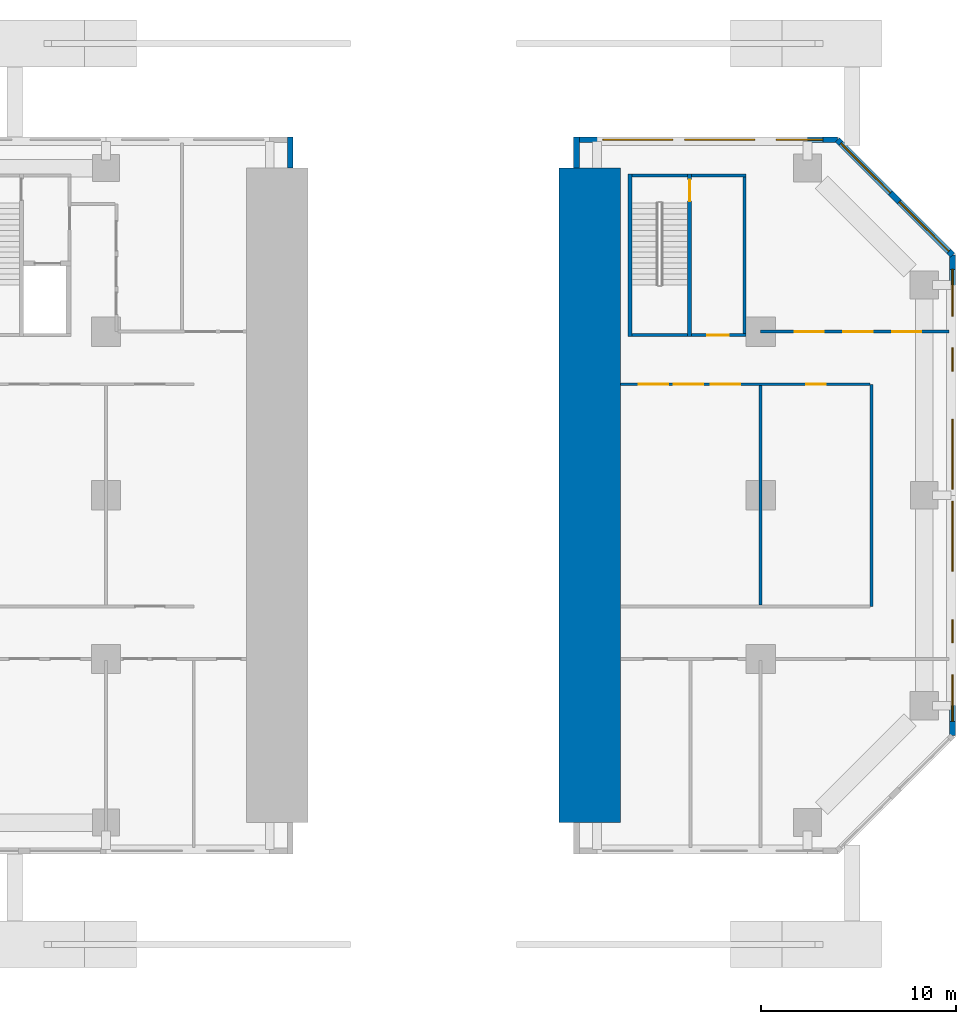
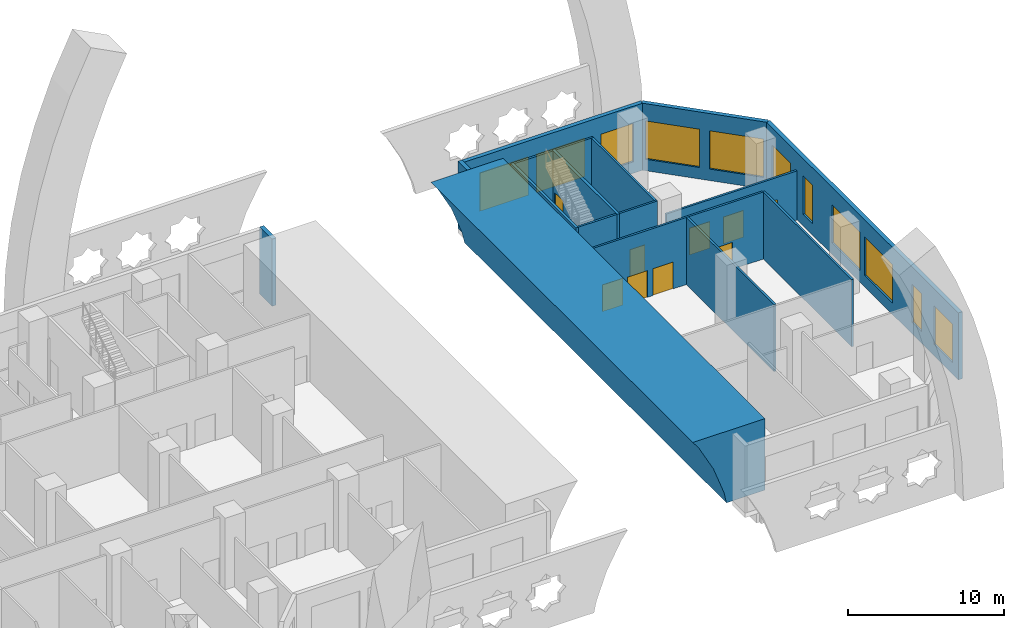
# One storey, part 12 of 19: 17 walls, 11 windows, 9 doors, 20 openings.
"""IFC4 building model written with IfcOpenShell, lengths in metres."""

from ifc_helpers import new_model, si_unit, direction, frame, frame_2d, origin, place, context, subcontext, project, spatial, polyline, rectangle, outline, extrude, material, layer, layer_set, type_object, element, fill, save


model = new_model("IFC4")

# Units and contexts
model_context = context("Model", 3, precision=1e-05, world=origin(), true_north=direction((0.0, 1.0)))
body_context = subcontext(model_context, "Body", "Model", "MODEL_VIEW")
ifc_project = project(units=[si_unit("LENGTHUNIT", "METRE"), si_unit("AREAUNIT", "SQUARE_METRE"), si_unit("VOLUMEUNIT", "CUBIC_METRE"), si_unit("PLANEANGLEUNIT", "RADIAN"), si_unit("MASSUNIT", "GRAM", prefix="KILO")], contexts=[model_context])

# Site, building, storey
site_placement = place(None, origin())
site = spatial("IfcSite", under=ifc_project, at=site_placement, CompositionType="ELEMENT")
building_placement = place(site_placement, origin())
building = spatial("IfcBuilding", under=site, at=building_placement, Name="Kawkab Arch Medical Tower", CompositionType="ELEMENT")
storey_placement = place(building_placement, frame((0.0, 0.0, 12.60009765625)))
storey = spatial("IfcBuildingStorey", under=building, at=storey_placement, Name="L03", CompositionType="ELEMENT", Elevation=12.60009765625)

# Walls
ifc_material_1 = material(Name="Concrete C60/75", Category="concrete")
wall_type_1 = type_object("IfcWallType", Name="Arch wall C60/75", PredefinedType="SHEAR", material=ifc_material_1)
wall_1_placement = place(storey_placement, frame((0.0, 0.0, -12.60009765625), z_axis=(0.0, -1.0, 0.0), x_axis=(1.0, 0.0, 0.0)))
element("IfcWall", 1, at=wall_1_placement, inside=storey, type_object=wall_type_1, Name="Arch wall L03-2", PredefinedType="SHEAR", context=body_context, shape_type="SweptSolid", body=[
    extrude(outline(polyline([(73.952392578125, 12.60009765625), (73.76611328125, 13.468017578125), (72.986083984375, 15.591064453125), (71.916015625, 17.5830078125), (71.46240234375, 18.199951171875), (76.800048828125, 18.199951171875), (76.800048828125, 12.60009765625), (73.952392578125, 12.60009765625)])), origin(), (0.0, 0.0, 1.0), 33.60009765625),
])
ifc_material_2 = material(Name="Gypsum board on steel studs", Category="steel")
ifc_layer_1 = layer(ifc_material_2, 0.14990234375)
ifc_layer_set_1 = layer_set([ifc_layer_1], Name="Gypsum board on steel studs")
wall_type_2 = type_object("IfcWallType", Name="Core room partition 150", PredefinedType="PARTITIONING", material=ifc_layer_set_1)
wall_2_placement = place(storey_placement, frame((80.449951171875, -0.375, 0.0), z_axis=(0.0, 0.0, 1.0), x_axis=(1.0, 0.0, 0.0)))
element("IfcWall", 2, at=wall_2_placement, inside=storey, type_object=wall_type_2, Name="L03 core room partition", PredefinedType="PARTITIONING", context=body_context, shape_type="SweptSolid", body=[
    extrude(rectangle(XDim=2.800048828125, YDim=0.14990234375, at=frame_2d((1.39990234375, 0.0))), origin(), (0.0, 0.0, 1.0), 5.25),
])
wall_3_placement = place(storey_placement, frame((83.175048828125, -8.5, 0.0), z_axis=(0.0, 0.0, 1.0), x_axis=(0.0, 1.0, 0.0)))
element("IfcWall", 3, at=wall_3_placement, inside=storey, type_object=wall_type_2, Name="L03 core room partition", PredefinedType="PARTITIONING", context=body_context, shape_type="SweptSolid", body=[
    extrude(rectangle(XDim=8.050048828125, YDim=0.14990234375, at=frame_2d((4.02490234375, 0.0))), origin(), (0.0, 0.0, 1.0), 5.25),
])

# Wall, openings, doors
ifc_material_3 = material(Name="Gypsum board partition on steel studs, mineral wool", Category="steel")
ifc_layer_2 = layer(ifc_material_3, 0.14990234375)
ifc_layer_set_2 = layer_set([ifc_layer_2], Name="Gypsum board partition on steel studs, mineral wool")
wall_type_3 = type_object("IfcWallType", Name="Partition 150", PredefinedType="PARTITIONING", material=ifc_layer_set_2)
wall_4_placement = place(storey_placement, frame((76.800048828125, -11.10009765625, 0.0), z_axis=(0.0, 0.0, 1.0), x_axis=(1.0, 0.0, 0.0)))
wall_4 = element("IfcWall", 4, at=wall_4_placement, inside=storey, type_object=wall_type_3, Name="Partition 150 w039", PredefinedType="PARTITIONING", context=body_context, shape_type="SweptSolid", body=[
    extrude(rectangle(XDim=12.824951171875, YDim=0.14990234375, at=frame_2d((6.41259765625, 0.0))), origin(), (0.0, 0.0, 1.0), 5.25),
])
opening_1_placement = place(wall_4_placement, frame((4.64990234375, 0.0, 0.0)))
opening_1 = element("IfcOpeningElement", 5, at=opening_1_placement, cuts=wall_4, Name="Opening P03-017", PredefinedType="OPENING", context=body_context, shape_type="SweptSolid", body=[
    extrude(rectangle(XDim=1.5, YDim=2.10009765625, at=frame_2d((0.75, 1.050048828125))), frame((0.0, 0.0849609375, 0.0), z_axis=(0.0, -1.0, 0.0), x_axis=(1.0, 0.0, 0.0)), (0.0, 0.0, 1.0), 0.169921875),
])
opening_2_placement = place(wall_4_placement, frame((2.75, 0.0, 0.0)))
opening_2 = element("IfcOpeningElement", 6, at=opening_2_placement, cuts=wall_4, Name="Opening P03-018", PredefinedType="OPENING", context=body_context, shape_type="SweptSolid", body=[
    extrude(rectangle(XDim=1.5, YDim=2.10009765625, at=frame_2d((0.75, 1.050048828125))), frame((0.0, 0.0849609375, 0.0), z_axis=(0.0, -1.0, 0.0), x_axis=(1.0, 0.0, 0.0)), (0.0, 0.0, 1.0), 0.169921875),
])
opening_3_placement = place(wall_4_placement, frame((0.949951171875, 0.0, 0.0)))
opening_3 = element("IfcOpeningElement", 7, at=opening_3_placement, cuts=wall_4, Name="Opening P03-019", PredefinedType="OPENING", context=body_context, shape_type="SweptSolid", body=[
    extrude(rectangle(XDim=1.5, YDim=2.10009765625, at=frame_2d((0.75, 1.050048828125))), frame((0.0, 0.0849609375, 0.0), z_axis=(0.0, -1.0, 0.0), x_axis=(1.0, 0.0, 0.0)), (0.0, 0.0, 1.0), 0.169921875),
])
opening_4_placement = place(wall_4_placement, frame((9.550048828125, 0.0, 0.0)))
opening_4 = element("IfcOpeningElement", 8, at=opening_4_placement, cuts=wall_4, Name="Opening P03-052", PredefinedType="OPENING", context=body_context, shape_type="SweptSolid", body=[
    extrude(rectangle(XDim=1.0, YDim=2.10009765625, at=frame_2d((0.5, 1.050048828125))), frame((0.0, 0.0849609375, 0.0), z_axis=(0.0, -1.0, 0.0), x_axis=(1.0, 0.0, 0.0)), (0.0, 0.0, 1.0), 0.169921875),
])
ifc_material_4 = material(Name="Hollow metal door leaf")
door_type_1 = type_object("IfcDoorType", Name="Double door 1500x2100 FD30S", OperationType="NOTDEFINED", PredefinedType="DOOR", material=ifc_material_4)
door_1_placement = place(opening_1_placement, origin())
door_1 = element("IfcDoor", 9, at=door_1_placement, inside=storey, type_object=door_type_1, Name="Door P03-017", OperationType="DOUBLE_DOOR_SINGLE_SWING", OverallHeight=2.10009765625, OverallWidth=1.5, PredefinedType="DOOR", context=body_context, shape_type="SweptSolid", body=[
    extrude(rectangle(XDim=1.5, YDim=2.10009765625, at=frame_2d((0.75, 1.050048828125))), frame((0.0, 0.02490234375, 0.0), z_axis=(0.0, -1.0, 0.0), x_axis=(1.0, 0.0, 0.0)), (0.0, 0.0, 1.0), 0.050048828125),
])
fill(opening_1, door_1)
door_2_placement = place(opening_2_placement, origin())
door_2 = element("IfcDoor", 10, at=door_2_placement, inside=storey, type_object=door_type_1, Name="Door P03-018", OperationType="DOUBLE_DOOR_SINGLE_SWING", OverallHeight=2.10009765625, OverallWidth=1.5, PredefinedType="DOOR", context=body_context, shape_type="SweptSolid", body=[
    extrude(rectangle(XDim=1.5, YDim=2.10009765625, at=frame_2d((0.75, 1.050048828125))), frame((0.0, 0.02490234375, 0.0), z_axis=(0.0, -1.0, 0.0), x_axis=(1.0, 0.0, 0.0)), (0.0, 0.0, 1.0), 0.050048828125),
])
fill(opening_2, door_2)
door_3_placement = place(opening_3_placement, origin())
door_3 = element("IfcDoor", 11, at=door_3_placement, inside=storey, type_object=door_type_1, Name="Door P03-019", OperationType="DOUBLE_DOOR_SINGLE_SWING", OverallHeight=2.10009765625, OverallWidth=1.5, PredefinedType="DOOR", context=body_context, shape_type="SweptSolid", body=[
    extrude(rectangle(XDim=1.5, YDim=2.10009765625, at=frame_2d((0.75, 1.050048828125))), frame((0.0, 0.02490234375, 0.0), z_axis=(0.0, -1.0, 0.0), x_axis=(1.0, 0.0, 0.0)), (0.0, 0.0, 1.0), 0.050048828125),
])
fill(opening_3, door_3)
ifc_material_5 = material(Name="Hollow metal door leaf")
door_type_2 = type_object("IfcDoorType", Name="Single door 1000x2100 FD30S", OperationType="NOTDEFINED", PredefinedType="DOOR", material=ifc_material_5)
door_4_placement = place(opening_4_placement, origin())
door_4 = element("IfcDoor", 12, at=door_4_placement, inside=storey, type_object=door_type_2, Name="Door P03-052", OperationType="SINGLE_SWING_LEFT", OverallHeight=2.10009765625, OverallWidth=1.0, PredefinedType="DOOR", context=body_context, shape_type="SweptSolid", body=[
    extrude(rectangle(XDim=1.0, YDim=2.10009765625, at=frame_2d((0.5, 1.050048828125))), frame((0.0, 0.02490234375, 0.0), z_axis=(0.0, -1.0, 0.0), x_axis=(1.0, 0.0, 0.0)), (0.0, 0.0, 1.0), 0.050048828125),
])
fill(opening_4, door_4)

wall_5_placement = place(storey_placement, frame((84.0, -8.39990234375, 0.0), z_axis=(0.0, 0.0, 1.0), x_axis=(1.0, 0.0, 0.0)))
wall_5 = element("IfcWall", 13, at=wall_5_placement, inside=storey, type_object=wall_type_3, Name="Partition 150 w042", PredefinedType="PARTITIONING", context=body_context, shape_type="SweptSolid", body=[
    extrude(rectangle(XDim=9.679931640625, YDim=0.14990234375, at=frame_2d((4.83984375, 0.0))), origin(), (0.0, 0.0, 1.0), 3.849853515625),
])
opening_5_placement = place(wall_5_placement, frame((1.75, 0.0, 0.0)))
opening_5 = element("IfcOpeningElement", 14, at=opening_5_placement, cuts=wall_5, Name="Opening P03-009", PredefinedType="OPENING", context=body_context, shape_type="SweptSolid", body=[
    extrude(rectangle(XDim=1.5, YDim=2.10009765625, at=frame_2d((0.75, 1.050048828125))), frame((0.0, 0.0849609375, 0.0), z_axis=(0.0, -1.0, 0.0), x_axis=(1.0, 0.0, 0.0)), (0.0, 0.0, 1.0), 0.169921875),
])
opening_6_placement = place(wall_5_placement, frame((4.25, 0.0, 0.0)))
opening_6 = element("IfcOpeningElement", 15, at=opening_6_placement, cuts=wall_5, Name="Opening P03-010", PredefinedType="OPENING", context=body_context, shape_type="SweptSolid", body=[
    extrude(rectangle(XDim=1.5, YDim=2.10009765625, at=frame_2d((0.75, 1.050048828125))), frame((0.0, 0.0849609375, 0.0), z_axis=(0.0, -1.0, 0.0), x_axis=(1.0, 0.0, 0.0)), (0.0, 0.0, 1.0), 0.169921875),
])
opening_7_placement = place(wall_5_placement, frame((6.75, 0.0, 0.0)))
opening_7 = element("IfcOpeningElement", 16, at=opening_7_placement, cuts=wall_5, Name="Opening P03-011", PredefinedType="OPENING", context=body_context, shape_type="SweptSolid", body=[
    extrude(rectangle(XDim=1.5, YDim=2.10009765625, at=frame_2d((0.75, 1.050048828125))), frame((0.0, 0.0849609375, 0.0), z_axis=(0.0, -1.0, 0.0), x_axis=(1.0, 0.0, 0.0)), (0.0, 0.0, 1.0), 0.169921875),
])
door_5_placement = place(opening_5_placement, origin())
door_5 = element("IfcDoor", 17, at=door_5_placement, inside=storey, type_object=door_type_1, Name="Door P03-009", OperationType="DOUBLE_DOOR_SINGLE_SWING", OverallHeight=2.10009765625, OverallWidth=1.5, PredefinedType="DOOR", context=body_context, shape_type="SweptSolid", body=[
    extrude(rectangle(XDim=1.5, YDim=2.10009765625, at=frame_2d((0.75, 1.050048828125))), frame((0.0, 0.02490234375, 0.0), z_axis=(0.0, -1.0, 0.0), x_axis=(1.0, 0.0, 0.0)), (0.0, 0.0, 1.0), 0.050048828125),
])
fill(opening_5, door_5)
door_6_placement = place(opening_6_placement, origin())
door_6 = element("IfcDoor", 18, at=door_6_placement, inside=storey, type_object=door_type_1, Name="Door P03-010", OperationType="DOUBLE_DOOR_SINGLE_SWING", OverallHeight=2.10009765625, OverallWidth=1.5, PredefinedType="DOOR", context=body_context, shape_type="SweptSolid", body=[
    extrude(rectangle(XDim=1.5, YDim=2.10009765625, at=frame_2d((0.75, 1.050048828125))), frame((0.0, 0.02490234375, 0.0), z_axis=(0.0, -1.0, 0.0), x_axis=(1.0, 0.0, 0.0)), (0.0, 0.0, 1.0), 0.050048828125),
])
fill(opening_6, door_6)
door_7_placement = place(opening_7_placement, origin())
door_7 = element("IfcDoor", 19, at=door_7_placement, inside=storey, type_object=door_type_1, Name="Door P03-011", OperationType="DOUBLE_DOOR_SINGLE_SWING", OverallHeight=2.10009765625, OverallWidth=1.5, PredefinedType="DOOR", context=body_context, shape_type="SweptSolid", body=[
    extrude(rectangle(XDim=1.5, YDim=2.10009765625, at=frame_2d((0.75, 1.050048828125))), frame((0.0, 0.02490234375, 0.0), z_axis=(0.0, -1.0, 0.0), x_axis=(1.0, 0.0, 0.0)), (0.0, 0.0, 1.0), 0.050048828125),
])
fill(opening_7, door_7)

# Walls
wall_6_placement = place(storey_placement, frame((84.0, -22.425048828125, 0.0), z_axis=(0.0, 0.0, 1.0), x_axis=(0.0, 1.0, 0.0)))
element("IfcWall", 20, at=wall_6_placement, inside=storey, type_object=wall_type_3, Name="Partition 150 w079", PredefinedType="PARTITIONING", context=body_context, shape_type="SweptSolid", body=[
    extrude(rectangle(XDim=11.25, YDim=0.14990234375, at=frame_2d((5.625, 0.0))), origin(), (0.0, 0.0, 1.0), 5.25),
])
wall_7_placement = place(storey_placement, frame((89.699951171875, -22.5, 0.0), z_axis=(0.0, 0.0, 1.0), x_axis=(0.0, 1.0, 0.0)))
element("IfcWall", 21, at=wall_7_placement, inside=storey, type_object=wall_type_3, Name="Partition 150 w080", PredefinedType="PARTITIONING", context=body_context, shape_type="SweptSolid", body=[
    extrude(rectangle(XDim=11.39990234375, YDim=0.14990234375, at=frame_2d((5.699951171875, 0.0))), origin(), (0.0, 0.0, 1.0), 5.25),
])
ifc_material_6 = material(Name="Bronze clad insulated wall panel")
ifc_layer_3 = layer(ifc_material_6, 0.300048828125)
ifc_layer_set_3 = layer_set([ifc_layer_3], Name="Bronze clad insulated wall panel")
wall_type_4 = type_object("IfcWallType", Name="Podium external wall 300", PredefinedType="SOLIDWALL", material=ifc_layer_set_3)
wall_8_placement = place(storey_placement, frame((59.85009765625, 0.0, 0.0), z_axis=(0.0, 0.0, 1.0), x_axis=(0.0, 1.0, 0.0)))
element("IfcWall", 22, at=wall_8_placement, inside=storey, type_object=wall_type_4, Name="Podium slot-side wall L03 R04.2", PredefinedType="SOLIDWALL", context=body_context, shape_type="SweptSolid", body=[
    extrude(rectangle(XDim=1.60009765625, YDim=0.300048828125, at=frame_2d((0.800048828125, 0.0))), origin(), (0.0, 0.0, 1.0), 5.25),
])

# Wall, openings, windows
wall_9_placement = place(storey_placement, frame((93.85009765625, -29.137939453125, 0.0), z_axis=(0.0, 0.0, 1.0), x_axis=(0.0, 1.0, 0.0)))
wall_9 = element("IfcWall", 23, at=wall_9_placement, inside=storey, type_object=wall_type_4, Name="Podium external wall L03 R11", PredefinedType="SOLIDWALL", context=body_context, shape_type="SweptSolid", body=[
    extrude(rectangle(XDim=24.67578125, YDim=0.300048828125, at=frame_2d((12.337890625, 0.0))), origin(), (0.0, 0.0, 1.0), 5.25),
])
opening_8_placement = place(wall_9_placement, frame((0.73779296875, 0.0, 0.89990234375)))
opening_8 = element("IfcOpeningElement", 24, at=opening_8_placement, cuts=wall_9, Name="Opening PBW240-30-S9", PredefinedType="OPENING", context=body_context, shape_type="SweptSolid", body=[
    extrude(rectangle(XDim=2.39990234375, YDim=3.0, at=frame_2d((1.199951171875, 1.5))), frame((0.0, 0.159912109375, 0.0), z_axis=(0.0, -1.0, 0.0), x_axis=(1.0, 0.0, 0.0)), (0.0, 0.0, 1.0), 0.320068359375),
])
opening_9_placement = place(wall_9_placement, frame((4.762939453125, 0.0, 0.89990234375)))
opening_9 = element("IfcOpeningElement", 25, at=opening_9_placement, cuts=wall_9, Name="Opening PBW120-30-S9", PredefinedType="OPENING", context=body_context, shape_type="SweptSolid", body=[
    extrude(rectangle(XDim=1.199951171875, YDim=3.0, at=frame_2d((0.60009765625, 1.5))), frame((0.0, 0.159912109375, 0.0), z_axis=(0.0, -1.0, 0.0), x_axis=(1.0, 0.0, 0.0)), (0.0, 0.0, 1.0), 0.320068359375),
])
opening_10_placement = place(wall_9_placement, frame((8.43798828125, 0.0, 0.89990234375)))
opening_10 = element("IfcOpeningElement", 26, at=opening_10_placement, cuts=wall_9, Name="Opening PBW360-30-S9", PredefinedType="OPENING", context=body_context, shape_type="SweptSolid", body=[
    extrude(rectangle(XDim=3.60009765625, YDim=3.0, at=frame_2d((1.800048828125, 1.5))), frame((0.0, 0.159912109375, 0.0), z_axis=(0.0, -1.0, 0.0), x_axis=(1.0, 0.0, 0.0)), (0.0, 0.0, 1.0), 0.320068359375),
])
opening_11_placement = place(wall_9_placement, frame((12.637939453125, 0.0, 0.89990234375)))
opening_11 = element("IfcOpeningElement", 27, at=opening_11_placement, cuts=wall_9, Name="Opening PBW360-30-S9", PredefinedType="OPENING", context=body_context, shape_type="SweptSolid", body=[
    extrude(rectangle(XDim=3.60009765625, YDim=3.0, at=frame_2d((1.800048828125, 1.5))), frame((0.0, 0.159912109375, 0.0), z_axis=(0.0, -1.0, 0.0), x_axis=(1.0, 0.0, 0.0)), (0.0, 0.0, 1.0), 0.320068359375),
])
opening_12_placement = place(wall_9_placement, frame((18.712890625, 0.0, 0.89990234375)))
opening_12 = element("IfcOpeningElement", 28, at=opening_12_placement, cuts=wall_9, Name="Opening PBW120-30-S9", PredefinedType="OPENING", context=body_context, shape_type="SweptSolid", body=[
    extrude(rectangle(XDim=1.199951171875, YDim=3.0, at=frame_2d((0.60009765625, 1.5))), frame((0.0, 0.159912109375, 0.0), z_axis=(0.0, -1.0, 0.0), x_axis=(1.0, 0.0, 0.0)), (0.0, 0.0, 1.0), 0.320068359375),
])
opening_13_placement = place(wall_9_placement, frame((21.537841796875, 0.0, 0.89990234375)))
opening_13 = element("IfcOpeningElement", 29, at=opening_13_placement, cuts=wall_9, Name="Opening PBW240-30-S9", PredefinedType="OPENING", context=body_context, shape_type="SweptSolid", body=[
    extrude(rectangle(XDim=2.39990234375, YDim=3.0, at=frame_2d((1.199951171875, 1.5))), frame((0.0, 0.159912109375, 0.0), z_axis=(0.0, -1.0, 0.0), x_axis=(1.0, 0.0, 0.0)), (0.0, 0.0, 1.0), 0.320068359375),
])
ifc_material_7 = material(Name="Bronze anodised aluminium louvred window", Category="aluminium")
window_type_1 = type_object("IfcWindowType", Name="Podium band window 1200 x 3000 sill 900", PartitioningType="DOUBLE_PANEL_VERTICAL", PredefinedType="WINDOW", material=ifc_material_7)
window_1_placement = place(opening_9_placement, origin())
window_1 = element("IfcWindow", 30, at=window_1_placement, inside=storey, type_object=window_type_1, Name="Band window L03 R11.2", OverallHeight=3.0, OverallWidth=1.199951171875, PartitioningType="SINGLE_PANEL", PredefinedType="WINDOW", context=body_context, shape_type="SweptSolid", body=[
    extrude(rectangle(XDim=1.199951171875, YDim=3.0, at=frame_2d((0.60009765625, 1.5))), frame((0.0, 0.030029296875, 0.0), z_axis=(0.0, -1.0, 0.0), x_axis=(1.0, 0.0, 0.0)), (0.0, 0.0, 1.0), 0.06005859375),
])
fill(opening_9, window_1)
window_2_placement = place(opening_12_placement, origin())
window_2 = element("IfcWindow", 31, at=window_2_placement, inside=storey, type_object=window_type_1, Name="Band window L03 R11.5", OverallHeight=3.0, OverallWidth=1.199951171875, PartitioningType="SINGLE_PANEL", PredefinedType="WINDOW", context=body_context, shape_type="SweptSolid", body=[
    extrude(rectangle(XDim=1.199951171875, YDim=3.0, at=frame_2d((0.60009765625, 1.5))), frame((0.0, 0.030029296875, 0.0), z_axis=(0.0, -1.0, 0.0), x_axis=(1.0, 0.0, 0.0)), (0.0, 0.0, 1.0), 0.06005859375),
])
fill(opening_12, window_2)
ifc_material_8 = material(Name="Bronze anodised aluminium louvred window", Category="aluminium")
window_type_2 = type_object("IfcWindowType", Name="Podium band window 2400 x 3000 sill 900", PartitioningType="DOUBLE_PANEL_VERTICAL", PredefinedType="WINDOW", material=ifc_material_8)
window_3_placement = place(opening_8_placement, origin())
window_3 = element("IfcWindow", 32, at=window_3_placement, inside=storey, type_object=window_type_2, Name="Band window L03 R11.1", OverallHeight=3.0, OverallWidth=2.39990234375, PartitioningType="SINGLE_PANEL", PredefinedType="WINDOW", context=body_context, shape_type="SweptSolid", body=[
    extrude(rectangle(XDim=2.39990234375, YDim=3.0, at=frame_2d((1.199951171875, 1.5))), frame((0.0, 0.030029296875, 0.0), z_axis=(0.0, -1.0, 0.0), x_axis=(1.0, 0.0, 0.0)), (0.0, 0.0, 1.0), 0.06005859375),
])
fill(opening_8, window_3)
window_4_placement = place(opening_13_placement, origin())
window_4 = element("IfcWindow", 33, at=window_4_placement, inside=storey, type_object=window_type_2, Name="Band window L03 R11.6", OverallHeight=3.0, OverallWidth=2.39990234375, PartitioningType="SINGLE_PANEL", PredefinedType="WINDOW", context=body_context, shape_type="SweptSolid", body=[
    extrude(rectangle(XDim=2.39990234375, YDim=3.0, at=frame_2d((1.199951171875, 1.5))), frame((0.0, 0.030029296875, 0.0), z_axis=(0.0, -1.0, 0.0), x_axis=(1.0, 0.0, 0.0)), (0.0, 0.0, 1.0), 0.06005859375),
])
fill(opening_13, window_4)
ifc_material_9 = material(Name="Bronze anodised aluminium louvred window", Category="aluminium")
window_type_3 = type_object("IfcWindowType", Name="Podium band window 3600 x 3000 sill 900", PartitioningType="DOUBLE_PANEL_VERTICAL", PredefinedType="WINDOW", material=ifc_material_9)
window_5_placement = place(opening_10_placement, origin())
window_5 = element("IfcWindow", 34, at=window_5_placement, inside=storey, type_object=window_type_3, Name="Band window L03 R11.3", OverallHeight=3.0, OverallWidth=3.60009765625, PartitioningType="SINGLE_PANEL", PredefinedType="WINDOW", context=body_context, shape_type="SweptSolid", body=[
    extrude(rectangle(XDim=3.60009765625, YDim=3.0, at=frame_2d((1.800048828125, 1.5))), frame((0.0, 0.030029296875, 0.0), z_axis=(0.0, -1.0, 0.0), x_axis=(1.0, 0.0, 0.0)), (0.0, 0.0, 1.0), 0.06005859375),
])
fill(opening_10, window_5)
window_6_placement = place(opening_11_placement, origin())
window_6 = element("IfcWindow", 35, at=window_6_placement, inside=storey, type_object=window_type_3, Name="Band window L03 R11.4", OverallHeight=3.0, OverallWidth=3.60009765625, PartitioningType="SINGLE_PANEL", PredefinedType="WINDOW", context=body_context, shape_type="SweptSolid", body=[
    extrude(rectangle(XDim=3.60009765625, YDim=3.0, at=frame_2d((1.800048828125, 1.5))), frame((0.0, 0.030029296875, 0.0), z_axis=(0.0, -1.0, 0.0), x_axis=(1.0, 0.0, 0.0)), (0.0, 0.0, 1.0), 0.06005859375),
])
fill(opening_11, window_6)

wall_10_placement = place(storey_placement, frame((93.85009765625, -4.462158203125, 0.0), z_axis=(0.0, 0.0, 1.0), x_axis=(-0.707106781187, 0.707106781187, 0.0)))
wall_10 = element("IfcWall", 36, at=wall_10_placement, inside=storey, type_object=wall_type_4, Name="Podium external wall L03 R12", PredefinedType="SOLIDWALL", context=body_context, shape_type="SweptSolid", body=[
    extrude(rectangle(XDim=8.361083984375, YDim=0.300048828125, at=frame_2d((4.1806640625, 0.0))), origin(), (0.0, 0.0, 1.0), 5.25),
])
opening_14_placement = place(wall_10_placement, frame((0.259033203125, 0.0, 0.89990234375)))
opening_14 = element("IfcOpeningElement", 37, at=opening_14_placement, cuts=wall_10, Name="Opening PBW360-30-S9", PredefinedType="OPENING", context=body_context, shape_type="SweptSolid", body=[
    extrude(rectangle(XDim=3.60009765625, YDim=3.0, at=frame_2d((1.800048828125, 1.5))), frame((0.0, 0.159912109375, 0.0), z_axis=(0.0, -1.0, 0.0), x_axis=(1.0, 0.0, 0.0)), (0.0, 0.0, 1.0), 0.320068359375),
])
opening_15_placement = place(wall_10_placement, frame((4.501708984375, 0.0, 0.89990234375)))
opening_15 = element("IfcOpeningElement", 38, at=opening_15_placement, cuts=wall_10, Name="Opening PBW360-30-S9", PredefinedType="OPENING", context=body_context, shape_type="SweptSolid", body=[
    extrude(rectangle(XDim=3.60009765625, YDim=3.0, at=frame_2d((1.800048828125, 1.5))), frame((0.0, 0.159912109375, 0.0), z_axis=(0.0, -1.0, 0.0), x_axis=(1.0, 0.0, 0.0)), (0.0, 0.0, 1.0), 0.320068359375),
])
window_7_placement = place(opening_14_placement, origin())
window_7 = element("IfcWindow", 39, at=window_7_placement, inside=storey, type_object=window_type_3, Name="Band window L03 R12.1", OverallHeight=3.0, OverallWidth=3.60009765625, PartitioningType="SINGLE_PANEL", PredefinedType="WINDOW", context=body_context, shape_type="SweptSolid", body=[
    extrude(rectangle(XDim=3.60009765625, YDim=3.0, at=frame_2d((1.800048828125, 1.5))), frame((0.0, 0.030029296875, 0.0), z_axis=(0.0, -1.0, 0.0), x_axis=(1.0, 0.0, 0.0)), (0.0, 0.0, 1.0), 0.06005859375),
])
fill(opening_14, window_7)
window_8_placement = place(opening_15_placement, origin())
window_8 = element("IfcWindow", 40, at=window_8_placement, inside=storey, type_object=window_type_3, Name="Band window L03 R12.2", OverallHeight=3.0, OverallWidth=3.60009765625, PartitioningType="SINGLE_PANEL", PredefinedType="WINDOW", context=body_context, shape_type="SweptSolid", body=[
    extrude(rectangle(XDim=3.60009765625, YDim=3.0, at=frame_2d((1.800048828125, 1.5))), frame((0.0, 0.030029296875, 0.0), z_axis=(0.0, -1.0, 0.0), x_axis=(1.0, 0.0, 0.0)), (0.0, 0.0, 1.0), 0.06005859375),
])
fill(opening_15, window_8)

wall_11_placement = place(storey_placement, frame((87.93798828125, 1.449951171875, 0.0), z_axis=(0.0, 0.0, 1.0), x_axis=(-1.0, 0.0, 0.0)))
wall_11 = element("IfcWall", 41, at=wall_11_placement, inside=storey, type_object=wall_type_4, Name="Podium external wall L03 R13", PredefinedType="SOLIDWALL", context=body_context, shape_type="SweptSolid", body=[
    extrude(rectangle(XDim=13.387939453125, YDim=0.300048828125, at=frame_2d((6.69384765625, 0.0))), origin(), (0.0, 0.0, 1.0), 5.25),
])
opening_16_placement = place(wall_11_placement, frame((0.73779296875, 0.0, 0.89990234375)))
opening_16 = element("IfcOpeningElement", 42, at=opening_16_placement, cuts=wall_11, Name="Opening PBW240-30-S9", PredefinedType="OPENING", context=body_context, shape_type="SweptSolid", body=[
    extrude(rectangle(XDim=2.39990234375, YDim=3.0, at=frame_2d((1.199951171875, 1.5))), frame((0.0, 0.159912109375, 0.0), z_axis=(0.0, -1.0, 0.0), x_axis=(1.0, 0.0, 0.0)), (0.0, 0.0, 1.0), 0.320068359375),
])
opening_17_placement = place(wall_11_placement, frame((4.23779296875, 0.0, 0.89990234375)))
opening_17 = element("IfcOpeningElement", 43, at=opening_17_placement, cuts=wall_11, Name="Opening PBW360-30-S9", PredefinedType="OPENING", context=body_context, shape_type="SweptSolid", body=[
    extrude(rectangle(XDim=3.60009765625, YDim=3.0, at=frame_2d((1.800048828125, 1.5))), frame((0.0, 0.159912109375, 0.0), z_axis=(0.0, -1.0, 0.0), x_axis=(1.0, 0.0, 0.0)), (0.0, 0.0, 1.0), 0.320068359375),
])
opening_18_placement = place(wall_11_placement, frame((8.43798828125, 0.0, 0.89990234375)))
opening_18 = element("IfcOpeningElement", 44, at=opening_18_placement, cuts=wall_11, Name="Opening PBW360-30-S9", PredefinedType="OPENING", context=body_context, shape_type="SweptSolid", body=[
    extrude(rectangle(XDim=3.60009765625, YDim=3.0, at=frame_2d((1.800048828125, 1.5))), frame((0.0, 0.159912109375, 0.0), z_axis=(0.0, -1.0, 0.0), x_axis=(1.0, 0.0, 0.0)), (0.0, 0.0, 1.0), 0.320068359375),
])
window_9_placement = place(opening_16_placement, origin())
window_9 = element("IfcWindow", 45, at=window_9_placement, inside=storey, type_object=window_type_2, Name="Band window L03 R13.1", OverallHeight=3.0, OverallWidth=2.39990234375, PartitioningType="SINGLE_PANEL", PredefinedType="WINDOW", context=body_context, shape_type="SweptSolid", body=[
    extrude(rectangle(XDim=2.39990234375, YDim=3.0, at=frame_2d((1.199951171875, 1.5))), frame((0.0, 0.030029296875, 0.0), z_axis=(0.0, -1.0, 0.0), x_axis=(1.0, 0.0, 0.0)), (0.0, 0.0, 1.0), 0.06005859375),
])
fill(opening_16, window_9)
window_10_placement = place(opening_17_placement, origin())
window_10 = element("IfcWindow", 46, at=window_10_placement, inside=storey, type_object=window_type_3, Name="Band window L03 R13.2", OverallHeight=3.0, OverallWidth=3.60009765625, PartitioningType="SINGLE_PANEL", PredefinedType="WINDOW", context=body_context, shape_type="SweptSolid", body=[
    extrude(rectangle(XDim=3.60009765625, YDim=3.0, at=frame_2d((1.800048828125, 1.5))), frame((0.0, 0.030029296875, 0.0), z_axis=(0.0, -1.0, 0.0), x_axis=(1.0, 0.0, 0.0)), (0.0, 0.0, 1.0), 0.06005859375),
])
fill(opening_17, window_10)
window_11_placement = place(opening_18_placement, origin())
window_11 = element("IfcWindow", 47, at=window_11_placement, inside=storey, type_object=window_type_3, Name="Band window L03 R13.3", OverallHeight=3.0, OverallWidth=3.60009765625, PartitioningType="SINGLE_PANEL", PredefinedType="WINDOW", context=body_context, shape_type="SweptSolid", body=[
    extrude(rectangle(XDim=3.60009765625, YDim=3.0, at=frame_2d((1.800048828125, 1.5))), frame((0.0, 0.030029296875, 0.0), z_axis=(0.0, -1.0, 0.0), x_axis=(1.0, 0.0, 0.0)), (0.0, 0.0, 1.0), 0.06005859375),
])
fill(opening_18, window_11)

# Walls
wall_12_placement = place(storey_placement, frame((74.550048828125, 1.60009765625, 0.0), z_axis=(0.0, 0.0, 1.0), x_axis=(0.0, -1.0, 0.0)))
element("IfcWall", 48, at=wall_12_placement, inside=storey, type_object=wall_type_4, Name="Podium slot-side wall L03 R14.2", PredefinedType="SOLIDWALL", context=body_context, shape_type="SweptSolid", body=[
    extrude(rectangle(XDim=1.60009765625, YDim=0.300048828125, at=frame_2d((0.800048828125, 0.0))), origin(), (0.0, 0.0, 1.0), 5.25),
])
ifc_material_10 = material(Name="Concrete C50/60", Category="concrete")
ifc_layer_4 = layer(ifc_material_10, 0.14990234375)
ifc_layer_set_4 = layer_set([ifc_layer_4], Name="Concrete C50/60")
wall_type_5 = type_object("IfcWallType", Name="Stair enclosure wall 150 C50/60", PredefinedType="SHEAR", material=ifc_layer_set_4)
for number, where, z_axis, x_axis, name in (
    (49, (77.39990234375, -0.375, 0.0), (0.0, 0.0, 1.0), (1.0, 0.0, 0.0), "L03 stair enclosure wall"),
    (50, (77.39990234375, -8.574951171875, 0.0), (0.0, 0.0, 1.0), (1.0, 0.0, 0.0), "L03 stair enclosure wall"),
):
    element("IfcWall", number, at=place(storey_placement, frame(where, z_axis=z_axis, x_axis=x_axis)), inside=storey, type_object=wall_type_5, Name=name, PredefinedType="SHEAR", context=body_context, shape_type="SweptSolid", body=[
        extrude(rectangle(XDim=2.85009765625, YDim=0.14990234375, at=frame_2d((1.425048828125, 0.0))), origin(), (0.0, 0.0, 1.0), 5.25),
    ])

# Wall, opening, door
wall_13_placement = place(storey_placement, frame((80.449951171875, -8.574951171875, 0.0), z_axis=(0.0, 0.0, 1.0), x_axis=(1.0, 0.0, 0.0)))
wall_13 = element("IfcWall", 51, at=wall_13_placement, inside=storey, type_object=wall_type_5, Name="L03 stair enclosure wall", PredefinedType="SHEAR", context=body_context, shape_type="SweptSolid", body=[
    extrude(rectangle(XDim=2.800048828125, YDim=0.14990234375, at=frame_2d((1.39990234375, 0.0))), origin(), (0.0, 0.0, 1.0), 5.25),
])
opening_19_placement = place(wall_13_placement, frame((0.800048828125, 0.0, 0.0)))
opening_19 = element("IfcOpeningElement", 52, at=opening_19_placement, cuts=wall_13, Name="Opening SD", PredefinedType="OPENING", context=body_context, shape_type="SweptSolid", body=[
    extrude(rectangle(XDim=1.10009765625, YDim=2.10009765625, at=frame_2d((0.550048828125, 1.050048828125))), frame((0.0, 0.0849609375, 0.0), z_axis=(0.0, -1.0, 0.0), x_axis=(1.0, 0.0, 0.0)), (0.0, 0.0, 1.0), 0.169921875),
])
ifc_material_11 = material(Name="Hollow metal fire door leaf")
door_type_3 = type_object("IfcDoorType", Name="Exit stair door 1100", OperationType="SINGLE_SWING_LEFT", PredefinedType="DOOR", material=ifc_material_11)
door_8_placement = place(opening_19_placement, origin())
door_8 = element("IfcDoor", 53, at=door_8_placement, inside=storey, type_object=door_type_3, Name="L03 Exit stair ST7 lobby door", OperationType="SINGLE_SWING_LEFT", OverallHeight=2.10009765625, OverallWidth=1.10009765625, PredefinedType="DOOR", context=body_context, shape_type="SweptSolid", body=[
    extrude(rectangle(XDim=1.10009765625, YDim=2.10009765625, at=frame_2d((0.550048828125, 1.050048828125))), frame((0.0, 0.02490234375, 0.0), z_axis=(0.0, -1.0, 0.0), x_axis=(1.0, 0.0, 0.0)), (0.0, 0.0, 1.0), 0.050048828125),
])
fill(opening_19, door_8)

# Wall
ifc_material_12 = material(Name="Concrete C50/60", Category="concrete")
ifc_layer_5 = layer(ifc_material_12, 0.199951171875)
ifc_layer_set_5 = layer_set([ifc_layer_5], Name="Concrete C50/60")
wall_type_6 = type_object("IfcWallType", Name="Stair enclosure wall 200 C50/60", PredefinedType="SHEAR", material=ifc_layer_set_5)
wall_14_placement = place(storey_placement, frame((77.300048828125, -8.64990234375, 0.0), z_axis=(0.0, 0.0, 1.0), x_axis=(0.0, 1.0, 0.0)))
element("IfcWall", 54, at=wall_14_placement, inside=storey, type_object=wall_type_6, Name="L03 stair enclosure wall", PredefinedType="SHEAR", context=body_context, shape_type="SweptSolid", body=[
    extrude(rectangle(XDim=8.349853515625, YDim=0.199951171875, at=frame_2d((4.1748046875, 0.0))), origin(), (0.0, 0.0, 1.0), 5.25),
])

# Wall, opening, door
wall_15_placement = place(storey_placement, frame((80.35009765625, -8.64990234375, 0.0), z_axis=(0.0, 0.0, 1.0), x_axis=(0.0, 1.0, 0.0)))
wall_15 = element("IfcWall", 55, at=wall_15_placement, inside=storey, type_object=wall_type_6, Name="L03 stair enclosure wall", PredefinedType="SHEAR", context=body_context, shape_type="SweptSolid", body=[
    extrude(rectangle(XDim=8.349853515625, YDim=0.199951171875, at=frame_2d((4.1748046875, 0.0))), origin(), (0.0, 0.0, 1.0), 5.25),
])
opening_20_placement = place(wall_15_placement, frame((6.949951171875, 0.0, 0.0)))
opening_20 = element("IfcOpeningElement", 56, at=opening_20_placement, cuts=wall_15, Name="Opening SD", PredefinedType="OPENING", context=body_context, shape_type="SweptSolid", body=[
    extrude(rectangle(XDim=1.10009765625, YDim=2.10009765625, at=frame_2d((0.550048828125, 1.050048828125))), frame((0.0, 0.10986328125, 0.0), z_axis=(0.0, -1.0, 0.0), x_axis=(1.0, 0.0, 0.0)), (0.0, 0.0, 1.0), 0.219970703125),
])
door_9_placement = place(opening_20_placement, origin())
door_9 = element("IfcDoor", 57, at=door_9_placement, inside=storey, type_object=door_type_3, Name="L03 Exit stair ST7 door", OperationType="SINGLE_SWING_LEFT", OverallHeight=2.10009765625, OverallWidth=1.10009765625, PredefinedType="DOOR", context=body_context, shape_type="SweptSolid", body=[
    extrude(rectangle(XDim=1.10009765625, YDim=2.10009765625, at=frame_2d((0.550048828125, 1.050048828125))), frame((0.0, 0.02490234375, 0.0), z_axis=(0.0, -1.0, 0.0), x_axis=(1.0, 0.0, 0.0)), (0.0, 0.0, 1.0), 0.050048828125),
])
fill(opening_20, door_9)

save(model, "model.ifc")
